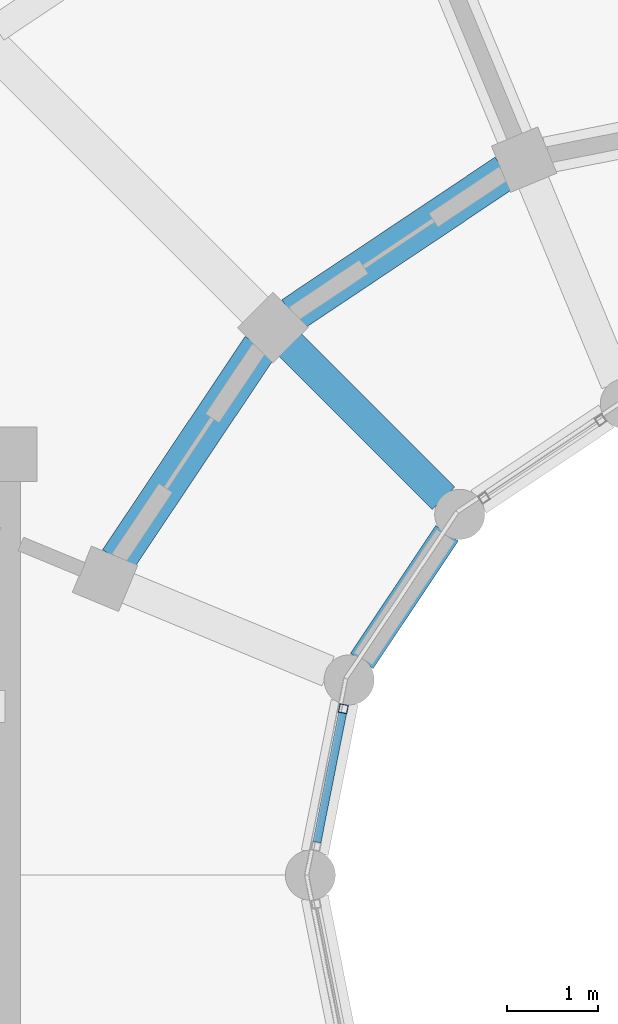
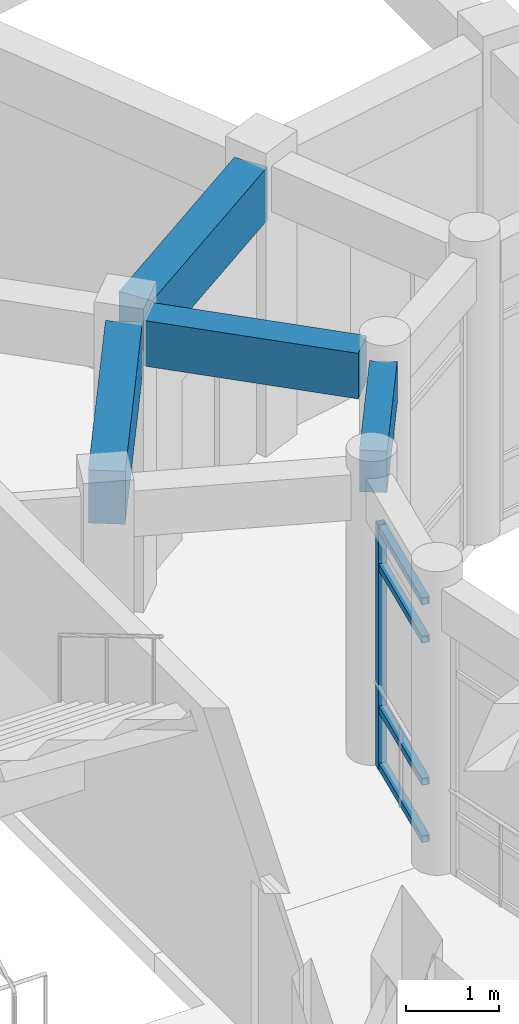
# One storey, part 69 of 159: 5 members, 4 beams, 1 element without a shape of its own.
"""IFC4 building model written with IfcOpenShell, lengths in metres."""

import ifcopenshell
import ifcopenshell.guid

model = None  # the IFC model being written
_history = None  # IfcOwnerHistory: only IFC2X3 demands one
_inside = {}  # id of a spatial element -> (the spatial element, [elements in it])
_under = {}  # id of a project, library or spatial element -> (it, [spatial elements below it])
_declared = {}  # id of a project -> (the project, [libraries it declares])
_typed = {}  # id of a type object -> (the type object, [elements of that type])
_made_of = {}  # id of a material, layer set ... -> (it, [elements and type objects made of it])


def new_model(schema):
    """Start an empty IFC model of exactly this schema.

    Asked for "IFC4X3", IfcOpenShell would pick the latest addendum, in which some entities
    have other attributes; the version numbers below select the first issue.
    IFC2X3 requires an IfcOwnerHistory on every rooted entity: one is made here for all.
    """
    global model, _history
    if schema == "IFC4X3":
        model = ifcopenshell.file(schema_version=(4, 3, 0, 0))
    else:
        model = ifcopenshell.file(schema=schema)
    _inside.clear()
    _under.clear()
    _declared.clear()
    _typed.clear()
    _made_of.clear()
    _history = None
    if model.schema == "IFC2X3":
        org = make("IfcOrganization", Name="unknown")
        user = make(
            "IfcPersonAndOrganization",
            ThePerson=make("IfcPerson", FamilyName="unknown"),
            TheOrganization=org,
        )
        app = make(
            "IfcApplication",
            ApplicationDeveloper=org,
            Version="unknown",
            ApplicationFullName="unknown",
            ApplicationIdentifier="unknown",
        )
        _history = make(
            "IfcOwnerHistory",
            OwningUser=user,
            OwningApplication=app,
            ChangeAction="ADDED",
            CreationDate=0,
        )
    return model


def make(cls, **values):
    """One entity of the class cls with the attributes given. An attribute that is None is left unset."""
    return model.create_entity(
        cls, **{name: value for name, value in values.items() if value is not None}
    )


def rooted(cls, **values):
    """An entity with a GlobalId (a new one), such as an element, a storey or a relation."""
    return make(cls, GlobalId=ifcopenshell.guid.new(), OwnerHistory=_history, **values)


def si_unit(unit_type, name, prefix=None):
    """IfcSIUnit, for example si_unit("LENGTHUNIT", "METRE", prefix="MILLI")."""
    return make("IfcSIUnit", UnitType=unit_type, Prefix=prefix, Name=name)


def assignment(units):
    """IfcUnitAssignment: the units of a project."""
    return None if units is None else make("IfcUnitAssignment", Units=units)


def point(xyz):
    """IfcCartesianPoint."""
    return None if xyz is None else make("IfcCartesianPoint", Coordinates=xyz)


def direction(xyz):
    """IfcDirection."""
    return None if xyz is None else make("IfcDirection", DirectionRatios=xyz)


def frame(location, z_axis=None, x_axis=None):
    """IfcAxis2Placement3D, a coordinate frame: its origin and axes. An axis left out is left unset."""
    return make(
        "IfcAxis2Placement3D",
        Location=point(location),
        Axis=direction(z_axis),
        RefDirection=direction(x_axis),
    )


def frame_2d(location, x_axis=None):
    """IfcAxis2Placement2D, a coordinate frame in the plane: its origin and x axis."""
    return make(
        "IfcAxis2Placement2D", Location=point(location), RefDirection=direction(x_axis)
    )


def origin():
    """The frame at (0, 0, 0) with its axes left unset."""
    return frame((0.0, 0.0, 0.0))


def origin_2d():
    """The frame at (0, 0) in the plane with its x axis left unset."""
    return frame_2d((0.0, 0.0))


def place(relative_to, where):
    """IfcLocalPlacement: puts the frame where relative to a parent placement (None: the world)."""
    return make(
        "IfcLocalPlacement", PlacementRelTo=relative_to, RelativePlacement=where
    )


def context(
    kind, dimensions, precision=None, world=None, true_north=None, identifier=None
):
    """IfcGeometricRepresentationContext, for example the 3D "Model" context."""
    return make(
        "IfcGeometricRepresentationContext",
        ContextIdentifier=identifier,
        ContextType=kind,
        CoordinateSpaceDimension=dimensions,
        Precision=precision,
        WorldCoordinateSystem=world,
        TrueNorth=true_north,
    )


def subcontext(parent, identifier, kind, view, scale=None):
    """IfcGeometricRepresentationSubContext, for example "Body" below "Model"."""
    return make(
        "IfcGeometricRepresentationSubContext",
        ContextIdentifier=identifier,
        ContextType=kind,
        ParentContext=parent,
        TargetScale=scale,
        TargetView=view,
    )


def project(units=None, contexts=None):
    """IfcProject with its units and contexts."""
    return rooted(
        "IfcProject",
        Name="project",
        RepresentationContexts=contexts,
        UnitsInContext=assignment(units),
    )


def spatial(cls, under=None, at=None, **own):
    """A site, building, storey or space (cls), placed at a placement, below another one or the project."""
    s = rooted(cls, ObjectPlacement=at, **own)
    if under is not None:
        _under.setdefault(under.id(), (under, []))[1].append(s)
    return s


def profile(cls, at=None, kind="AREA", **sizes):
    """A parametric profile (cls). Its sizes go by their IFC names, for example OverallWidth=200.0."""
    return make(cls, ProfileType=kind, Position=at, **sizes)


def rectangle(**sizes):
    """IfcRectangleProfileDef."""
    return profile("IfcRectangleProfileDef", **sizes)


def hollow_rectangle(**sizes):
    """IfcRectangleHollowProfileDef."""
    return profile("IfcRectangleHollowProfileDef", **sizes)


def extrude(swept, where, along, depth):
    """IfcExtrudedAreaSolid: the profile swept, set in the frame where, extruded along a direction by depth."""
    return make(
        "IfcExtrudedAreaSolid",
        SweptArea=swept,
        Position=where,
        ExtrudedDirection=direction(along),
        Depth=depth,
    )


def shape(context_of_items, identifier, shape_type, items):
    """IfcShapeRepresentation: the items that make up one representation, for example the "Body"."""
    return make(
        "IfcShapeRepresentation",
        ContextOfItems=context_of_items,
        RepresentationIdentifier=identifier,
        RepresentationType=shape_type,
        Items=items,
    )


def material(Name=None, Category=None):
    """IfcMaterial."""
    return make("IfcMaterial", Name=Name, Category=Category)


def material_profile(
    of_material, cross_section, Name=None, Category=None, Priority=None
):
    """IfcMaterialProfile: a cross section and its material."""
    return make(
        "IfcMaterialProfile",
        Name=Name,
        Material=of_material,
        Profile=cross_section,
        Priority=Priority,
        Category=Category,
    )


def profile_set(profiles, Name=None, composite=None):
    """IfcMaterialProfileSet."""
    return make(
        "IfcMaterialProfileSet",
        Name=Name,
        MaterialProfiles=profiles,
        CompositeProfile=composite,
    )


def made_of(thing, what):
    """Note that an element or type object is made of a material, layer set ...; save() writes the relation."""
    if what is not None:
        _made_of.setdefault(what.id(), (what, []))[1].append(thing)
    return thing


def type_object(cls, material=None, **own):
    """A type object (cls), such as IfcWallType, which elements share."""
    return made_of(rooted(cls, **own), material)


def element(
    cls,
    number,
    at=None,
    inside=None,
    cuts=None,
    type_object=None,
    material=None,
    context=None,
    identifier="Body",
    shape_type=None,
    held_by="IfcProductDefinitionShape",
    body=None,
    shapes=None,
    **own,
):
    """One element of the class cls, such as IfcWall. Its Tag is "e" and its number.

    at: its placement. inside: the storey or other place that contains it. cuts: it is an
    opening in that element (IfcRelVoidsElement). A single representation is given by context,
    identifier, shape_type and body (its items); several are given by shapes. held_by: the class
    of the entity that holds the representations. save() writes the other relations.
    """
    e = rooted(cls, Tag="e%d" % number, ObjectPlacement=at, **own)
    if body is not None:
        shapes = [shape(context, identifier, shape_type, body)]
    if shapes is not None:
        e.Representation = make(held_by, Representations=shapes)
    if inside is not None:
        _inside.setdefault(inside.id(), (inside, []))[1].append(e)
    if cuts is not None:
        rooted(
            "IfcRelVoidsElement", RelatingBuildingElement=cuts, RelatedOpeningElement=e
        )
    if type_object is not None:
        _typed.setdefault(type_object.id(), (type_object, []))[1].append(e)
    return made_of(e, material)


def aggregate(whole, parts):
    """IfcRelAggregates: a whole, such as a stair, and the parts it consists of."""
    return rooted("IfcRelAggregates", RelatingObject=whole, RelatedObjects=parts)


def save(model, path):
    """Write the relations noted so far, then the file.

    IfcRelAggregates (storeys below a building ...), IfcRelContainedInSpatialStructure (elements
    in a storey), IfcRelDefinesByType, IfcRelAssociatesMaterial and IfcRelDeclares: one each for
    every whole, place, type object, material and project.
    """
    for whole, parts in _under.values():
        aggregate(whole, parts)
    for where, things in _inside.values():
        rooted(
            "IfcRelContainedInSpatialStructure",
            RelatedElements=things,
            RelatingStructure=where,
        )
    for kind, things in _typed.values():
        rooted("IfcRelDefinesByType", RelatedObjects=things, RelatingType=kind)
    for what, things in _made_of.values():
        rooted("IfcRelAssociatesMaterial", RelatedObjects=things, RelatingMaterial=what)
    for by, libraries in _declared.values():
        rooted("IfcRelDeclares", RelatingContext=by, RelatedDefinitions=libraries)
    model.write(path)


model = new_model("IFC4")

# Units and contexts
model_context = context("Model", 3, precision=1e-05, world=origin(), true_north=direction((0.0, 1.0)))
body_context = subcontext(model_context, "Body", "Model", "MODEL_VIEW")
ifc_project = project(units=[si_unit("LENGTHUNIT", "METRE"), si_unit("AREAUNIT", "SQUARE_METRE"), si_unit("VOLUMEUNIT", "CUBIC_METRE"), si_unit("PLANEANGLEUNIT", "RADIAN"), si_unit("MASSUNIT", "GRAM", prefix="KILO")], contexts=[model_context])

# Site, building, storey
site_placement = place(None, origin())
site = spatial("IfcSite", under=ifc_project, at=site_placement, CompositionType="ELEMENT")
building_placement = place(site_placement, origin())
building = spatial("IfcBuilding", under=site, at=building_placement, Name="Celadon Cloister-Ring School", CompositionType="ELEMENT")
storey_placement = place(building_placement, frame((0.0, 0.0, 4.5)))
storey = spatial("IfcBuildingStorey", under=building, at=storey_placement, Name="L01", CompositionType="ELEMENT", Elevation=4.5)

# Beam
ifc_material_1 = material(Name="Concrete C35/45", Category="concrete")
ifc_material_profile_1 = material_profile(ifc_material_1, rectangle(XDim=0.35009765625, YDim=0.60009765625, at=origin_2d()), Name="RC350X600")
ifc_profile_set_1 = profile_set([ifc_material_profile_1], Name="Concrete C35/45")
beam_type_1 = type_object("IfcBeamType", Name="BT-02", PredefinedType="BEAM", material=ifc_profile_set_1)
beam_1_placement = place(storey_placement, frame((14.366943359375, 102.8330078125, 3.47998046875), z_axis=(0.707106781187, -0.707106781187, 0.0), x_axis=(0.707106781187, 0.707106781187, 0.0)))
element("IfcBeam", 1, at=beam_1_placement, inside=storey, type_object=beam_type_1, Name="Beam 0670", PredefinedType="BEAM", context=body_context, shape_type="SweptSolid", body=[
    extrude(rectangle(XDim=0.35009765625, YDim=0.60009765625, at=origin_2d()), origin(), (0.0, 0.0, 1.0), 2.398681640625),
])

# Curtain wall, members
ifc_material_2 = material(Name="Aluminium EN AW-6063 T6", Category="aluminium")
curtain_wall_type = type_object("IfcCurtainWallType", Name="CW-04", PredefinedType="USERDEFINED", material=ifc_material_2)
curtain_wall_placement = place(storey_placement, origin())
curtain_wall = element("IfcCurtainWall", 2, at=curtain_wall_placement, inside=storey, type_object=curtain_wall_type, Name="Curtain Wall 0096", ObjectType="CURTAIN WALL", PredefinedType="USERDEFINED")
ifc_material_3 = material(Name="Aluminium EN AW-6063 T6", Category="aluminium")
ifc_material_profile_2 = material_profile(ifc_material_3, hollow_rectangle(XDim=0.094970703125, YDim=0.094970703125, WallThickness=0.00390625, at=origin_2d()), Name="RHS95X95X4")
ifc_profile_set_2 = profile_set([ifc_material_profile_2], Name="Aluminium EN AW-6063 T6")
member_type_1 = type_object("IfcMemberType", Name="CM-02", PredefinedType="MULLION", material=ifc_profile_set_2)
member_1_placement = place(storey_placement, frame((14.962646484375, 98.826416015625, 0.0), z_axis=(0.0, 0.0, 1.0), x_axis=(0.980885435464, -0.194586131301, 0.0)))
member_1 = element("IfcMember", 3, at=member_1_placement, type_object=member_type_1, Name="CW-04 mullion 1", PredefinedType="MULLION", context=body_context, shape_type="SweptSolid", body=[
    extrude(hollow_rectangle(XDim=0.094970703125, YDim=0.094970703125, WallThickness=0.00390625, at=origin_2d()), origin(), (0.0, 0.0, 1.0), 3.221923828125),
])
ifc_material_4 = material(Name="Aluminium EN AW-6063 T6", Category="aluminium")
ifc_material_profile_3 = material_profile(ifc_material_4, hollow_rectangle(XDim=0.090087890625, YDim=0.090087890625, WallThickness=0.00390625, at=origin_2d()), Name="RHS90X90X4")
ifc_profile_set_3 = profile_set([ifc_material_profile_3], Name="Aluminium EN AW-6063 T6")
member_type_2 = type_object("IfcMemberType", Name="CTM-02", PredefinedType="USERDEFINED", material=ifc_profile_set_3)
member_2_placement = place(storey_placement, frame((14.95361328125, 98.77978515625, 0.044921875), z_axis=(-0.194587856315, -0.980885093257, 0.0), x_axis=(0.980885093257, -0.194587856315, 0.0)))
member_2 = element("IfcMember", 4, at=member_2_placement, type_object=member_type_2, Name="CW-04 transom 1.1", ObjectType="TRANSOM", PredefinedType="USERDEFINED", context=body_context, shape_type="SweptSolid", body=[
    extrude(hollow_rectangle(XDim=0.090087890625, YDim=0.090087890625, WallThickness=0.00390625, at=origin_2d()), origin(), (0.0, 0.0, 1.0), 1.444091796875),
])
member_3_placement = place(storey_placement, frame((14.95361328125, 98.77978515625, 0.800048828125), z_axis=(-0.194587856315, -0.980885093257, 0.0), x_axis=(0.980885093257, -0.194587856315, 0.0)))
member_3 = element("IfcMember", 5, at=member_3_placement, type_object=member_type_2, Name="CW-04 transom 1.2", ObjectType="TRANSOM", PredefinedType="USERDEFINED", context=body_context, shape_type="SweptSolid", body=[
    extrude(hollow_rectangle(XDim=0.090087890625, YDim=0.090087890625, WallThickness=0.00390625, at=origin_2d()), origin(), (0.0, 0.0, 1.0), 1.444091796875),
])
member_4_placement = place(storey_placement, frame((14.95361328125, 98.77978515625, 2.672119140625), z_axis=(-0.194587856315, -0.980885093257, 0.0), x_axis=(0.980885093257, -0.194587856315, 0.0)))
member_4 = element("IfcMember", 6, at=member_4_placement, type_object=member_type_2, Name="CW-04 transom 1.3", ObjectType="TRANSOM", PredefinedType="USERDEFINED", context=body_context, shape_type="SweptSolid", body=[
    extrude(hollow_rectangle(XDim=0.090087890625, YDim=0.090087890625, WallThickness=0.00390625, at=origin_2d()), origin(), (0.0, 0.0, 1.0), 1.444091796875),
])
member_5_placement = place(storey_placement, frame((14.95361328125, 98.77978515625, 3.177001953125), z_axis=(-0.194587856315, -0.980885093257, 0.0), x_axis=(0.980885093257, -0.194587856315, 0.0)))
member_5 = element("IfcMember", 7, at=member_5_placement, type_object=member_type_2, Name="CW-04 transom 1.4", ObjectType="TRANSOM", PredefinedType="USERDEFINED", context=body_context, shape_type="SweptSolid", body=[
    extrude(hollow_rectangle(XDim=0.090087890625, YDim=0.090087890625, WallThickness=0.00390625, at=origin_2d()), origin(), (0.0, 0.0, 1.0), 1.444091796875),
])
aggregate(curtain_wall, [member_1, member_2, member_3, member_4, member_5])

# Beams
ifc_material_5 = material(Name="Concrete C35/45", Category="concrete")
ifc_material_profile_4 = material_profile(ifc_material_5, rectangle(XDim=0.39990234375, YDim=0.699951171875, at=origin_2d()), Name="RC400X700")
ifc_profile_set_4 = profile_set([ifc_material_profile_4], Name="Concrete C35/45")
beam_type_2 = type_object("IfcBeamType", Name="GT-03", PredefinedType="USERDEFINED", material=ifc_profile_set_4)
beam_2_placement = place(storey_placement, frame((16.739013671875, 104.714111328125, 3.429931640625), z_axis=(-0.831315995752, -0.555800067657, 0.0), x_axis=(0.555800067657, -0.831315995752, 0.0)))
element("IfcBeam", 8, at=beam_2_placement, inside=storey, type_object=beam_type_2, Name="Beam 0702", ObjectType="GIRDER", PredefinedType="USERDEFINED", context=body_context, shape_type="SweptSolid", body=[
    extrude(rectangle(XDim=0.39990234375, YDim=0.699951171875, at=origin_2d()), origin(), (0.0, 0.0, 1.0), 2.816162109375),
])
beam_3_placement = place(storey_placement, frame((14.051025390625, 102.802001953125, 3.429931640625), z_axis=(-0.555740149771, -0.831356052442, 0.0), x_axis=(0.831356052442, -0.555740149771, 0.0)))
element("IfcBeam", 9, at=beam_3_placement, inside=storey, type_object=beam_type_2, Name="Beam 0706", ObjectType="GIRDER", PredefinedType="USERDEFINED", context=body_context, shape_type="SweptSolid", body=[
    extrude(rectangle(XDim=0.39990234375, YDim=0.699951171875, at=origin_2d()), origin(), (0.0, 0.0, 1.0), 2.81591796875),
])
ifc_material_6 = material(Name="Concrete C35/45", Category="concrete")
ifc_material_profile_5 = material_profile(ifc_material_6, rectangle(XDim=0.300048828125, YDim=0.550048828125, at=origin_2d()), Name="RC300X550")
ifc_profile_set_5 = profile_set([ifc_material_profile_5], Name="Concrete C35/45")
beam_type_3 = type_object("IfcBeamType", Name="SP-02", PredefinedType="SPANDREL", material=ifc_profile_set_5)
beam_4_placement = place(storey_placement, frame((16.10107421875, 100.751953125, 3.5048828125), z_axis=(-0.555569328961, -0.831470216374, 0.0), x_axis=(0.831470216374, -0.555569328961, 0.0)))
element("IfcBeam", 10, at=beam_4_placement, inside=storey, type_object=beam_type_3, Name="Beam 0707", PredefinedType="SPANDREL", context=body_context, shape_type="SweptSolid", body=[
    extrude(rectangle(XDim=0.300048828125, YDim=0.550048828125, at=origin_2d()), origin(), (0.0, 0.0, 1.0), 1.684814453125),
])

save(model, "model.ifc")
